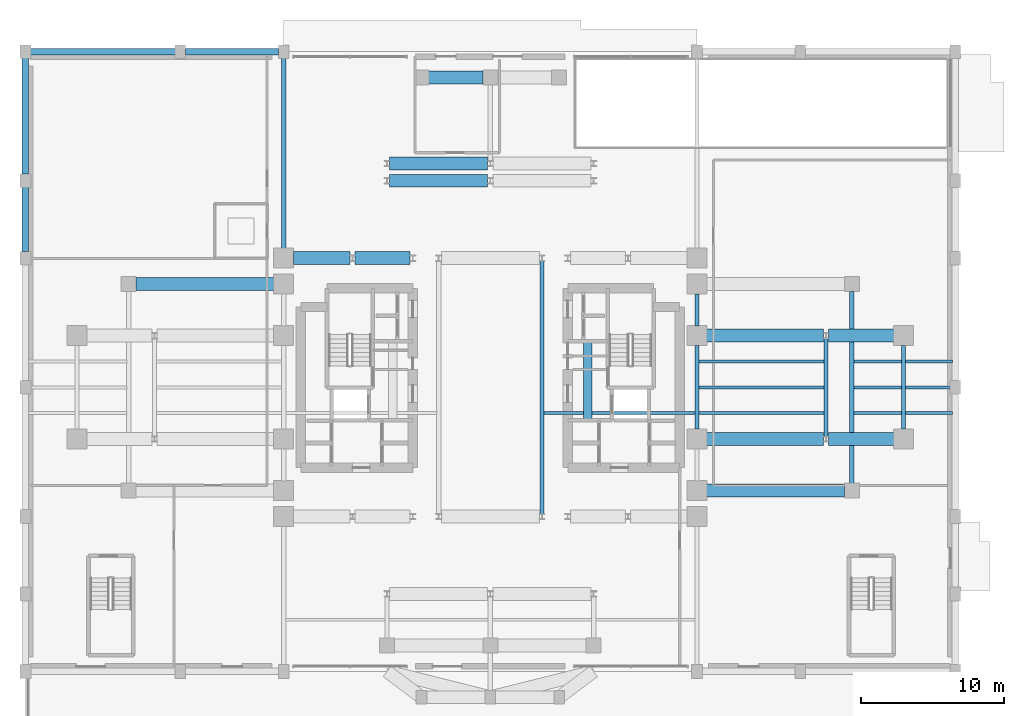
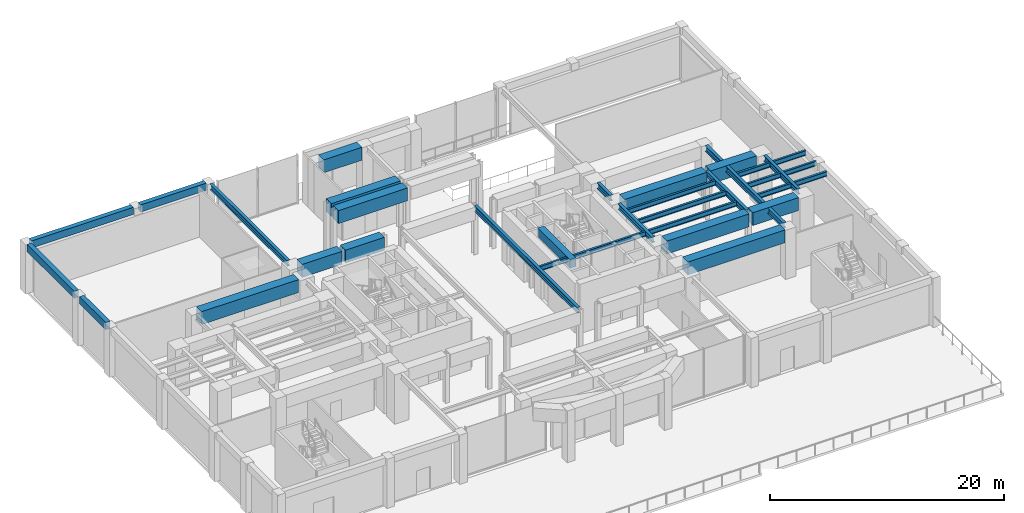
# One storey, part 7 of 17: 33 beams.
"""IFC4 building model written with IfcOpenShell, lengths in metres."""

import ifcopenshell
import ifcopenshell.guid

model = None  # the IFC model being written
_history = None  # IfcOwnerHistory: only IFC2X3 demands one
_inside = {}  # id of a spatial element -> (the spatial element, [elements in it])
_under = {}  # id of a project, library or spatial element -> (it, [spatial elements below it])
_declared = {}  # id of a project -> (the project, [libraries it declares])
_typed = {}  # id of a type object -> (the type object, [elements of that type])
_made_of = {}  # id of a material, layer set ... -> (it, [elements and type objects made of it])


def new_model(schema):
    """Start an empty IFC model of exactly this schema.

    Asked for "IFC4X3", IfcOpenShell would pick the latest addendum, in which some entities
    have other attributes; the version numbers below select the first issue.
    IFC2X3 requires an IfcOwnerHistory on every rooted entity: one is made here for all.
    """
    global model, _history
    if schema == "IFC4X3":
        model = ifcopenshell.file(schema_version=(4, 3, 0, 0))
    else:
        model = ifcopenshell.file(schema=schema)
    _inside.clear()
    _under.clear()
    _declared.clear()
    _typed.clear()
    _made_of.clear()
    _history = None
    if model.schema == "IFC2X3":
        org = make("IfcOrganization", Name="unknown")
        user = make(
            "IfcPersonAndOrganization",
            ThePerson=make("IfcPerson", FamilyName="unknown"),
            TheOrganization=org,
        )
        app = make(
            "IfcApplication",
            ApplicationDeveloper=org,
            Version="unknown",
            ApplicationFullName="unknown",
            ApplicationIdentifier="unknown",
        )
        _history = make(
            "IfcOwnerHistory",
            OwningUser=user,
            OwningApplication=app,
            ChangeAction="ADDED",
            CreationDate=0,
        )
    return model


def make(cls, **values):
    """One entity of the class cls with the attributes given. An attribute that is None is left unset."""
    return model.create_entity(
        cls, **{name: value for name, value in values.items() if value is not None}
    )


def rooted(cls, **values):
    """An entity with a GlobalId (a new one), such as an element, a storey or a relation."""
    return make(cls, GlobalId=ifcopenshell.guid.new(), OwnerHistory=_history, **values)


def si_unit(unit_type, name, prefix=None):
    """IfcSIUnit, for example si_unit("LENGTHUNIT", "METRE", prefix="MILLI")."""
    return make("IfcSIUnit", UnitType=unit_type, Prefix=prefix, Name=name)


def assignment(units):
    """IfcUnitAssignment: the units of a project."""
    return None if units is None else make("IfcUnitAssignment", Units=units)


def point(xyz):
    """IfcCartesianPoint."""
    return None if xyz is None else make("IfcCartesianPoint", Coordinates=xyz)


def direction(xyz):
    """IfcDirection."""
    return None if xyz is None else make("IfcDirection", DirectionRatios=xyz)


def frame(location, z_axis=None, x_axis=None):
    """IfcAxis2Placement3D, a coordinate frame: its origin and axes. An axis left out is left unset."""
    return make(
        "IfcAxis2Placement3D",
        Location=point(location),
        Axis=direction(z_axis),
        RefDirection=direction(x_axis),
    )


def frame_2d(location, x_axis=None):
    """IfcAxis2Placement2D, a coordinate frame in the plane: its origin and x axis."""
    return make(
        "IfcAxis2Placement2D", Location=point(location), RefDirection=direction(x_axis)
    )


def origin():
    """The frame at (0, 0, 0) with its axes left unset."""
    return frame((0.0, 0.0, 0.0))


def origin_2d():
    """The frame at (0, 0) in the plane with its x axis left unset."""
    return frame_2d((0.0, 0.0))


def place(relative_to, where):
    """IfcLocalPlacement: puts the frame where relative to a parent placement (None: the world)."""
    return make(
        "IfcLocalPlacement", PlacementRelTo=relative_to, RelativePlacement=where
    )


def context(
    kind, dimensions, precision=None, world=None, true_north=None, identifier=None
):
    """IfcGeometricRepresentationContext, for example the 3D "Model" context."""
    return make(
        "IfcGeometricRepresentationContext",
        ContextIdentifier=identifier,
        ContextType=kind,
        CoordinateSpaceDimension=dimensions,
        Precision=precision,
        WorldCoordinateSystem=world,
        TrueNorth=true_north,
    )


def subcontext(parent, identifier, kind, view, scale=None):
    """IfcGeometricRepresentationSubContext, for example "Body" below "Model"."""
    return make(
        "IfcGeometricRepresentationSubContext",
        ContextIdentifier=identifier,
        ContextType=kind,
        ParentContext=parent,
        TargetScale=scale,
        TargetView=view,
    )


def project(units=None, contexts=None):
    """IfcProject with its units and contexts."""
    return rooted(
        "IfcProject",
        Name="project",
        RepresentationContexts=contexts,
        UnitsInContext=assignment(units),
    )


def spatial(cls, under=None, at=None, **own):
    """A site, building, storey or space (cls), placed at a placement, below another one or the project."""
    s = rooted(cls, ObjectPlacement=at, **own)
    if under is not None:
        _under.setdefault(under.id(), (under, []))[1].append(s)
    return s


def profile(cls, at=None, kind="AREA", **sizes):
    """A parametric profile (cls). Its sizes go by their IFC names, for example OverallWidth=200.0."""
    return make(cls, ProfileType=kind, Position=at, **sizes)


def rectangle(**sizes):
    """IfcRectangleProfileDef."""
    return profile("IfcRectangleProfileDef", **sizes)


def i_section(**sizes):
    """IfcIShapeProfileDef."""
    return profile("IfcIShapeProfileDef", **sizes)


def extrude(swept, where, along, depth):
    """IfcExtrudedAreaSolid: the profile swept, set in the frame where, extruded along a direction by depth."""
    return make(
        "IfcExtrudedAreaSolid",
        SweptArea=swept,
        Position=where,
        ExtrudedDirection=direction(along),
        Depth=depth,
    )


def shape(context_of_items, identifier, shape_type, items):
    """IfcShapeRepresentation: the items that make up one representation, for example the "Body"."""
    return make(
        "IfcShapeRepresentation",
        ContextOfItems=context_of_items,
        RepresentationIdentifier=identifier,
        RepresentationType=shape_type,
        Items=items,
    )


def source(mapping_origin, context_of_items, identifier, shape_type, items):
    """IfcRepresentationMap: a shape defined once, which mapped items show again and again."""
    return make(
        "IfcRepresentationMap",
        MappingOrigin=mapping_origin,
        MappedRepresentation=shape(context_of_items, identifier, shape_type, items),
    )


def transform(
    local_origin,
    x_axis=None,
    y_axis=None,
    z_axis=None,
    scale=None,
    scale2=None,
    scale3=None,
    uniform=True,
):
    """IfcCartesianTransformationOperator3D, or its non-uniform kind. x_axis, y_axis, z_axis: its Axis1, 2, 3."""
    if uniform:
        return make(
            "IfcCartesianTransformationOperator3D",
            Axis1=direction(x_axis),
            Axis2=direction(y_axis),
            LocalOrigin=point(local_origin),
            Scale=scale,
            Axis3=direction(z_axis),
        )
    return make(
        "IfcCartesianTransformationOperator3DnonUniform",
        Axis1=direction(x_axis),
        Axis2=direction(y_axis),
        LocalOrigin=point(local_origin),
        Scale=scale,
        Axis3=direction(z_axis),
        Scale2=scale2,
        Scale3=scale3,
    )


def mapped(mapping_source, mapping_target):
    """IfcMappedItem: shows the shape of a source again, moved by a transform."""
    return make(
        "IfcMappedItem", MappingSource=mapping_source, MappingTarget=mapping_target
    )


def material(Name=None, Category=None):
    """IfcMaterial."""
    return make("IfcMaterial", Name=Name, Category=Category)


def material_profile(
    of_material, cross_section, Name=None, Category=None, Priority=None
):
    """IfcMaterialProfile: a cross section and its material."""
    return make(
        "IfcMaterialProfile",
        Name=Name,
        Material=of_material,
        Profile=cross_section,
        Priority=Priority,
        Category=Category,
    )


def profile_set(profiles, Name=None, composite=None):
    """IfcMaterialProfileSet."""
    return make(
        "IfcMaterialProfileSet",
        Name=Name,
        MaterialProfiles=profiles,
        CompositeProfile=composite,
    )


def made_of(thing, what):
    """Note that an element or type object is made of a material, layer set ...; save() writes the relation."""
    if what is not None:
        _made_of.setdefault(what.id(), (what, []))[1].append(thing)
    return thing


def type_object(cls, material=None, **own):
    """A type object (cls), such as IfcWallType, which elements share."""
    return made_of(rooted(cls, **own), material)


def element(
    cls,
    number,
    at=None,
    inside=None,
    cuts=None,
    type_object=None,
    material=None,
    context=None,
    identifier="Body",
    shape_type=None,
    held_by="IfcProductDefinitionShape",
    body=None,
    shapes=None,
    **own,
):
    """One element of the class cls, such as IfcWall. Its Tag is "e" and its number.

    at: its placement. inside: the storey or other place that contains it. cuts: it is an
    opening in that element (IfcRelVoidsElement). A single representation is given by context,
    identifier, shape_type and body (its items); several are given by shapes. held_by: the class
    of the entity that holds the representations. save() writes the other relations.
    """
    e = rooted(cls, Tag="e%d" % number, ObjectPlacement=at, **own)
    if body is not None:
        shapes = [shape(context, identifier, shape_type, body)]
    if shapes is not None:
        e.Representation = make(held_by, Representations=shapes)
    if inside is not None:
        _inside.setdefault(inside.id(), (inside, []))[1].append(e)
    if cuts is not None:
        rooted(
            "IfcRelVoidsElement", RelatingBuildingElement=cuts, RelatedOpeningElement=e
        )
    if type_object is not None:
        _typed.setdefault(type_object.id(), (type_object, []))[1].append(e)
    return made_of(e, material)


def aggregate(whole, parts):
    """IfcRelAggregates: a whole, such as a stair, and the parts it consists of."""
    return rooted("IfcRelAggregates", RelatingObject=whole, RelatedObjects=parts)


def save(model, path):
    """Write the relations noted so far, then the file.

    IfcRelAggregates (storeys below a building ...), IfcRelContainedInSpatialStructure (elements
    in a storey), IfcRelDefinesByType, IfcRelAssociatesMaterial and IfcRelDeclares: one each for
    every whole, place, type object, material and project.
    """
    for whole, parts in _under.values():
        aggregate(whole, parts)
    for where, things in _inside.values():
        rooted(
            "IfcRelContainedInSpatialStructure",
            RelatedElements=things,
            RelatingStructure=where,
        )
    for kind, things in _typed.values():
        rooted("IfcRelDefinesByType", RelatedObjects=things, RelatingType=kind)
    for what, things in _made_of.values():
        rooted("IfcRelAssociatesMaterial", RelatedObjects=things, RelatingMaterial=what)
    for by, libraries in _declared.values():
        rooted("IfcRelDeclares", RelatingContext=by, RelatedDefinitions=libraries)
    model.write(path)


model = new_model("IFC4")

# Units and contexts
model_context = context("Model", 3, precision=1e-05, world=origin(), true_north=direction((0.0, 1.0)))
body_context = subcontext(model_context, "Body", "Model", "MODEL_VIEW")
ifc_project = project(units=[si_unit("LENGTHUNIT", "METRE"), si_unit("AREAUNIT", "SQUARE_METRE"), si_unit("VOLUMEUNIT", "CUBIC_METRE"), si_unit("PLANEANGLEUNIT", "RADIAN"), si_unit("MASSUNIT", "GRAM", prefix="KILO")], contexts=[model_context])

# Site, building, storey
site_placement = place(None, origin())
site = spatial("IfcSite", under=ifc_project, at=site_placement, CompositionType="ELEMENT")
building_placement = place(site_placement, origin())
building = spatial("IfcBuilding", under=site, at=building_placement, Name="Keilestroom Media Tower", CompositionType="ELEMENT")
storey_placement = place(building_placement, origin())
storey = spatial("IfcBuildingStorey", under=building, at=storey_placement, Name="L00", CompositionType="ELEMENT", Elevation=0.0)

# Beams
ifc_material_1 = material(Name="Precast concrete C40/50", Category="concrete")
ifc_material_profile_1 = material_profile(ifc_material_1, rectangle(XDim=0.449951171875, YDim=0.75, at=origin_2d()), Name="PC 450x750")
ifc_profile_set_1 = profile_set([ifc_material_profile_1], Name="Precast concrete C40/50")
beam_type_1 = type_object("IfcBeamType", Name="Perimeter-Spandrel-Beam-PC-450x750", PredefinedType="SPANDREL", material=ifc_profile_set_1)
shared_shape_1 = source(origin(), body_context, "Body", "SweptSolid", [
    extrude(rectangle(XDim=0.449951171875, YDim=0.75, at=origin_2d()), origin(), (0.0, 0.0, 1.0), 10.08984375),
])
beam_1_placement = place(storey_placement, frame((-32.044921875, 23.39990234375, 4.77490234375), z_axis=(1.0, 0.0, 0.0), x_axis=(0.0, 1.0, 0.0)))
element("IfcBeam", 1, at=beam_1_placement, inside=storey, type_object=beam_type_1, Name="L00 Beam SPB-1 BM-L00-EW-041", PredefinedType="SPANDREL", context=body_context, shape_type="MappedRepresentation", body=[
    mapped(shared_shape_1, transform((0.0, 0.0, 0.0), x_axis=(1.0, 0.0, 0.0), y_axis=(0.0, 1.0, 0.0), z_axis=(0.0, 0.0, 1.0), scale=1.0)),
])
shared_shape_2 = source(origin(), body_context, "Body", "SweptSolid", [
    extrude(rectangle(XDim=0.449951171875, YDim=0.75, at=origin_2d()), origin(), (0.0, 0.0, 1.0), 6.490234375),
])
beam_2_placement = place(storey_placement, frame((-21.2451171875, 23.39990234375, 4.77490234375), z_axis=(1.0, 0.0, 0.0), x_axis=(0.0, 1.0, 0.0)))
element("IfcBeam", 2, at=beam_2_placement, inside=storey, type_object=beam_type_1, Name="L00 Beam SPB-1 BM-L00-EW-042", PredefinedType="SPANDREL", context=body_context, shape_type="MappedRepresentation", body=[
    mapped(shared_shape_2, transform((0.0, 0.0, 0.0), x_axis=(1.0, 0.0, 0.0), y_axis=(0.0, 1.0, 0.0), z_axis=(0.0, 0.0, 1.0), scale=1.0)),
])
ifc_material_2 = material(Name="Concrete C70/85", Category="concrete")
ifc_material_profile_2 = material_profile(ifc_material_2, rectangle(XDim=0.60009765625, YDim=0.89990234375, at=origin_2d()), Name="RC 600x900")
ifc_profile_set_2 = profile_set([ifc_material_profile_2], Name="Concrete C70/85")
beam_type_2 = type_object("IfcBeamType", Name="Core-Coupling-Lintel-Beam-RC-600x900", PredefinedType="LINTEL", material=ifc_profile_set_2)
shared_shape_3 = source(origin(), body_context, "Body", "SweptSolid", [
    extrude(rectangle(XDim=0.60009765625, YDim=0.89990234375, at=origin_2d()), origin(), (0.0, 0.0, 1.0), 5.52001953125),
])
beam_3_placement = place(storey_placement, frame((6.800048828125, -2.300048828125, 4.699951171875), z_axis=(0.0, 1.0, 0.0), x_axis=(-1.0, 0.0, 0.0)))
element("IfcBeam", 3, at=beam_3_placement, inside=storey, type_object=beam_type_2, Name="L00 Beam CLB-1 CLB-L00-E", PredefinedType="LINTEL", context=body_context, shape_type="MappedRepresentation", body=[
    mapped(shared_shape_3, transform((0.0, 0.0, 0.0), x_axis=(1.0, 0.0, 0.0), y_axis=(0.0, 1.0, 0.0), z_axis=(0.0, 0.0, 1.0), scale=1.0)),
])
ifc_material_3 = material(Name="Concrete C55/67", Category="concrete")
ifc_material_profile_3 = material_profile(ifc_material_3, rectangle(XDim=0.89990234375, YDim=1.35009765625, at=origin_2d()), Name="RC 900x1350")
ifc_profile_set_3 = profile_set([ifc_material_profile_3], Name="Concrete C55/67")
beam_type_3 = type_object("IfcBeamType", Name="Primary-Structural-Girder-RC-900x1350", PredefinedType="BEAM", material=ifc_profile_set_3)
shared_shape_4 = source(origin(), body_context, "Body", "SweptSolid", [
    extrude(rectangle(XDim=0.89990234375, YDim=1.35009765625, at=origin_2d()), origin(), (0.0, 0.0, 1.0), 6.833984375),
])
for number, where, z_axis, x_axis, name in (
    (4, (-7.01708984375, 14.39990234375, 4.47509765625), (1.0, 0.0, 0.0), (0.0, 1.0, 0.0), "L00 Beam TG-2 BM-L00-EW-035"),
    (5, (-7.01708984375, 15.60009765625, 4.47509765625), (1.0, 0.0, 0.0), (0.0, 1.0, 0.0), "L00 Beam TG-2 BM-L00-EW-037"),
):
    element("IfcBeam", number, at=place(storey_placement, frame(where, z_axis=z_axis, x_axis=x_axis)), inside=storey, type_object=beam_type_3, Name=name, PredefinedType="BEAM", context=body_context, shape_type="MappedRepresentation", body=[
        mapped(shared_shape_4, transform((0.0, 0.0, 0.0), x_axis=(1.0, 0.0, 0.0), y_axis=(0.0, 1.0, 0.0), z_axis=(0.0, 0.0, 1.0), scale=1.0)),
    ])
shared_shape_5 = source(origin(), body_context, "Body", "SweptSolid", [
    extrude(rectangle(XDim=0.89990234375, YDim=1.35009765625, at=origin_2d()), origin(), (0.0, 0.0, 1.0), 3.93701171875),
])
beam_4_placement = place(storey_placement, frame((-13.719970703125, 9.0, 4.47509765625), z_axis=(1.0, 0.0, 0.0), x_axis=(0.0, 1.0, 0.0)))
element("IfcBeam", 6, at=beam_4_placement, inside=storey, type_object=beam_type_3, Name="L00 Beam TG-2 BM-L00-EW-028", PredefinedType="BEAM", context=body_context, shape_type="MappedRepresentation", body=[
    mapped(shared_shape_5, transform((0.0, 0.0, 0.0), x_axis=(1.0, 0.0, 0.0), y_axis=(0.0, 1.0, 0.0), z_axis=(0.0, 0.0, 1.0), scale=1.0)),
])
shared_shape_6 = source(origin(), body_context, "Body", "SweptSolid", [
    extrude(rectangle(XDim=0.89990234375, YDim=1.35009765625, at=origin_2d()), origin(), (0.0, 0.0, 1.0), 3.833984375),
])
beam_5_placement = place(storey_placement, frame((-9.4169921875, 9.0, 4.47509765625), z_axis=(1.0, 0.0, 0.0), x_axis=(0.0, 1.0, 0.0)))
element("IfcBeam", 7, at=beam_5_placement, inside=storey, type_object=beam_type_3, Name="L00 Beam TG-2 BM-L00-EW-029", PredefinedType="BEAM", context=body_context, shape_type="MappedRepresentation", body=[
    mapped(shared_shape_6, transform((0.0, 0.0, 0.0), x_axis=(1.0, 0.0, 0.0), y_axis=(0.0, 1.0, 0.0), z_axis=(0.0, 0.0, 1.0), scale=1.0)),
])
shared_shape_7 = source(origin(), body_context, "Body", "SweptSolid", [
    extrude(rectangle(XDim=0.89990234375, YDim=1.35009765625, at=origin_2d()), origin(), (0.0, 0.0, 1.0), 9.614990234375),
])
for number, where, z_axis, x_axis, name in (
    (8, (15.080078125, -7.199951171875, 4.47509765625), (1.0, 0.0, 0.0), (0.0, 1.0, 0.0), "L00 Beam TG-2 BM-L00-EW-017"),
    (9, (-24.695068359375, 7.199951171875, 4.47509765625), (1.0, 0.0, 0.0), (0.0, 1.0, 0.0), "L00 Beam TG-2 BM-L00-EW-026"),
):
    element("IfcBeam", number, at=place(storey_placement, frame(where, z_axis=z_axis, x_axis=x_axis)), inside=storey, type_object=beam_type_3, Name=name, PredefinedType="BEAM", context=body_context, shape_type="MappedRepresentation", body=[
        mapped(shared_shape_7, transform((0.0, 0.0, 0.0), x_axis=(1.0, 0.0, 0.0), y_axis=(0.0, 1.0, 0.0), z_axis=(0.0, 0.0, 1.0), scale=1.0)),
    ])
shared_shape_8 = source(origin(), body_context, "Body", "SweptSolid", [
    extrude(rectangle(XDim=0.89990234375, YDim=1.35009765625, at=origin_2d()), origin(), (0.0, 0.0, 1.0), 4.537109375),
])
for number, where, z_axis, x_axis, name in (
    (10, (23.5830078125, -3.60009765625, 4.47509765625), (1.0, 0.0, 0.0), (0.0, 1.0, 0.0), "L00 Beam TG-2 BM-L00-EW-021"),
    (11, (23.5830078125, 3.60009765625, 4.47509765625), (1.0, 0.0, 0.0), (0.0, 1.0, 0.0), "L00 Beam TG-2 BM-L00-EW-025"),
):
    element("IfcBeam", number, at=place(storey_placement, frame(where, z_axis=z_axis, x_axis=x_axis)), inside=storey, type_object=beam_type_3, Name=name, PredefinedType="BEAM", context=body_context, shape_type="MappedRepresentation", body=[
        mapped(shared_shape_8, transform((0.0, 0.0, 0.0), x_axis=(1.0, 0.0, 0.0), y_axis=(0.0, 1.0, 0.0), z_axis=(0.0, 0.0, 1.0), scale=1.0)),
    ])
shared_shape_9 = source(origin(), body_context, "Body", "SweptSolid", [
    extrude(rectangle(XDim=0.89990234375, YDim=1.35009765625, at=origin_2d()), origin(), (0.0, 0.0, 1.0), 8.136962890625),
])
for number, where, z_axis, x_axis, name in (
    (12, (15.080078125, -3.60009765625, 4.47509765625), (1.0, 0.0, 0.0), (0.0, 1.0, 0.0), "L00 Beam TG-2 BM-L00-EW-020"),
    (13, (15.080078125, 3.60009765625, 4.47509765625), (1.0, 0.0, 0.0), (0.0, 1.0, 0.0), "L00 Beam TG-2 BM-L00-EW-024"),
):
    element("IfcBeam", number, at=place(storey_placement, frame(where, z_axis=z_axis, x_axis=x_axis)), inside=storey, type_object=beam_type_3, Name=name, PredefinedType="BEAM", context=body_context, shape_type="MappedRepresentation", body=[
        mapped(shared_shape_9, transform((0.0, 0.0, 0.0), x_axis=(1.0, 0.0, 0.0), y_axis=(0.0, 1.0, 0.0), z_axis=(0.0, 0.0, 1.0), scale=1.0)),
    ])
shared_shape_10 = source(origin(), body_context, "Body", "SweptSolid", [
    extrude(rectangle(XDim=0.89990234375, YDim=1.35009765625, at=origin_2d()), origin(), (0.0, 0.0, 1.0), 3.7900390625),
])
beam_6_placement = place(storey_placement, frame((-4.294921875, 21.60009765625, 4.47509765625), z_axis=(1.0, 0.0, 0.0), x_axis=(0.0, 1.0, 0.0)))
element("IfcBeam", 14, at=beam_6_placement, inside=storey, type_object=beam_type_3, Name="L00 Beam TG-2 BM-L00-EW-039", PredefinedType="BEAM", context=body_context, shape_type="MappedRepresentation", body=[
    mapped(shared_shape_10, transform((0.0, 0.0, 0.0), x_axis=(1.0, 0.0, 0.0), y_axis=(0.0, 1.0, 0.0), z_axis=(0.0, 0.0, 1.0), scale=1.0)),
])
shared_shape_11 = source(origin(), body_context, "Body", "SweptSolid", [
    extrude(rectangle(XDim=0.449951171875, YDim=0.75, at=origin_2d()), origin(), (0.0, 0.0, 1.0), 4.489990234375),
])
beam_7_placement = place(storey_placement, frame((-32.39990234375, 9.455078125, 4.77490234375), z_axis=(0.0, 1.0, 0.0), x_axis=(-1.0, 0.0, 0.0)))
element("IfcBeam", 15, at=beam_7_placement, inside=storey, type_object=beam_type_1, Name="L00 Beam SPB-1 BM-L00-NS-049", PredefinedType="SPANDREL", context=body_context, shape_type="MappedRepresentation", body=[
    mapped(shared_shape_11, transform((0.0, 0.0, 0.0), x_axis=(1.0, 0.0, 0.0), y_axis=(0.0, 1.0, 0.0), z_axis=(0.0, 0.0, 1.0), scale=1.0)),
])
shared_shape_12 = source(origin(), body_context, "Body", "SweptSolid", [
    extrude(rectangle(XDim=0.449951171875, YDim=0.75, at=origin_2d()), origin(), (0.0, 0.0, 1.0), 8.090087890625),
])
beam_8_placement = place(storey_placement, frame((-32.39990234375, 14.85498046875, 4.77490234375), z_axis=(0.0, 1.0, 0.0), x_axis=(-1.0, 0.0, 0.0)))
element("IfcBeam", 16, at=beam_8_placement, inside=storey, type_object=beam_type_1, Name="L00 Beam SPB-1 BM-L00-NS-050", PredefinedType="SPANDREL", context=body_context, shape_type="MappedRepresentation", body=[
    mapped(shared_shape_12, transform((0.0, 0.0, 0.0), x_axis=(1.0, 0.0, 0.0), y_axis=(0.0, 1.0, 0.0), z_axis=(0.0, 0.0, 1.0), scale=1.0)),
])
ifc_material_4 = material(Name="Steel S355", Category="steel")
ifc_material_profile_4 = material_profile(ifc_material_4, i_section(OverallWidth=0.300048828125, OverallDepth=0.60009765625, WebThickness=0.013427734375, FlangeThickness=0.030029296875, at=origin_2d()), Name="HEB 600")
ifc_profile_set_4 = profile_set([ifc_material_profile_4], Name="Steel S355")
beam_type_4 = type_object("IfcBeamType", Name="Primary-Structural-Girder-HEB-600", PredefinedType="BEAM", material=ifc_profile_set_4)
shared_shape_13 = source(origin(), body_context, "Body", "SweptSolid", [
    extrude(i_section(OverallWidth=0.300048828125, OverallDepth=0.60009765625, WebThickness=0.013427734375, FlangeThickness=0.030029296875, at=origin_2d()), origin(), (0.0, 0.0, 1.0), 5.83984375),
])
for number, where, z_axis, x_axis, name in (
    (17, (14.39990234375, -2.919921875, 4.85009765625), (0.0, 1.0, 0.0), (-1.0, 0.0, 0.0), "L00 Beam BG-4 BM-L00-NS-078"),
    (18, (28.800048828125, -2.919921875, 4.85009765625), (0.0, 1.0, 0.0), (-1.0, 0.0, 0.0), "L00 Beam BG-4 BM-L00-NS-084"),
):
    element("IfcBeam", number, at=place(storey_placement, frame(where, z_axis=z_axis, x_axis=x_axis)), inside=storey, type_object=beam_type_4, Name=name, PredefinedType="BEAM", context=body_context, shape_type="MappedRepresentation", body=[
        mapped(shared_shape_13, transform((0.0, 0.0, 0.0), x_axis=(1.0, 0.0, 0.0), y_axis=(0.0, 1.0, 0.0), z_axis=(0.0, 0.0, 1.0), scale=1.0)),
    ])
shared_shape_14 = source(origin(), body_context, "Body", "SweptSolid", [
    extrude(i_section(OverallWidth=0.300048828125, OverallDepth=0.60009765625, WebThickness=0.013427734375, FlangeThickness=0.030029296875, at=origin_2d()), origin(), (0.0, 0.0, 1.0), 13.39013671875),
])
beam_9_placement = place(storey_placement, frame((25.199951171875, -6.695068359375, 4.85009765625), z_axis=(0.0, 1.0, 0.0), x_axis=(-1.0, 0.0, 0.0)))
element("IfcBeam", 19, at=beam_9_placement, inside=storey, type_object=beam_type_4, Name="L00 Beam BG-4 BM-L00-NS-083", PredefinedType="BEAM", context=body_context, shape_type="MappedRepresentation", body=[
    mapped(shared_shape_14, transform((0.0, 0.0, 0.0), x_axis=(1.0, 0.0, 0.0), y_axis=(0.0, 1.0, 0.0), z_axis=(0.0, 0.0, 1.0), scale=1.0)),
])
shared_shape_15 = source(origin(), body_context, "Body", "SweptSolid", [
    extrude(i_section(OverallWidth=0.300048828125, OverallDepth=0.60009765625, WebThickness=0.013427734375, FlangeThickness=0.030029296875, at=origin_2d()), origin(), (0.0, 0.0, 1.0), 6.82421875),
])
beam_10_placement = place(storey_placement, frame((23.39990234375, -3.412109375, 4.85009765625), z_axis=(0.0, 1.0, 0.0), x_axis=(-1.0, 0.0, 0.0)))
element("IfcBeam", 20, at=beam_10_placement, inside=storey, type_object=beam_type_4, Name="L00 Beam BG-4 BM-L00-NS-082", PredefinedType="BEAM", context=body_context, shape_type="MappedRepresentation", body=[
    mapped(shared_shape_15, transform((0.0, 0.0, 0.0), x_axis=(1.0, 0.0, 0.0), y_axis=(0.0, 1.0, 0.0), z_axis=(0.0, 0.0, 1.0), scale=1.0)),
])
shared_shape_16 = source(origin(), body_context, "Body", "SweptSolid", [
    extrude(i_section(OverallWidth=0.300048828125, OverallDepth=0.60009765625, WebThickness=0.013427734375, FlangeThickness=0.030029296875, at=origin_2d()), origin(), (0.0, 0.0, 1.0), 2.239990234375),
])
beam_11_placement = place(storey_placement, frame((14.39990234375, 4.280029296875, 4.85009765625), z_axis=(0.0, 1.0, 0.0), x_axis=(-1.0, 0.0, 0.0)))
element("IfcBeam", 21, at=beam_11_placement, inside=storey, type_object=beam_type_4, Name="L00 Beam BG-4 BM-L00-NS-079", PredefinedType="BEAM", context=body_context, shape_type="MappedRepresentation", body=[
    mapped(shared_shape_16, transform((0.0, 0.0, 0.0), x_axis=(1.0, 0.0, 0.0), y_axis=(0.0, 1.0, 0.0), z_axis=(0.0, 0.0, 1.0), scale=1.0)),
])
shared_shape_17 = source(origin(), body_context, "Body", "SweptSolid", [
    extrude(i_section(OverallWidth=0.300048828125, OverallDepth=0.60009765625, WebThickness=0.013427734375, FlangeThickness=0.030029296875, at=origin_2d()), origin(), (0.0, 0.0, 1.0), 13.26513671875),
])
beam_12_placement = place(storey_placement, frame((-14.39990234375, 9.679931640625, 4.85009765625), z_axis=(0.0, 1.0, 0.0), x_axis=(-1.0, 0.0, 0.0)))
element("IfcBeam", 22, at=beam_12_placement, inside=storey, type_object=beam_type_4, Name="L00 Beam BG-4 BM-L00-NS-060", PredefinedType="BEAM", context=body_context, shape_type="MappedRepresentation", body=[
    mapped(shared_shape_17, transform((0.0, 0.0, 0.0), x_axis=(1.0, 0.0, 0.0), y_axis=(0.0, 1.0, 0.0), z_axis=(0.0, 0.0, 1.0), scale=1.0)),
])
shared_shape_18 = source(origin(), body_context, "Body", "SweptSolid", [
    extrude(i_section(OverallWidth=0.300048828125, OverallDepth=0.60009765625, WebThickness=0.013427734375, FlangeThickness=0.030029296875, at=origin_2d()), origin(), (0.0, 0.0, 1.0), 17.6240234375),
])
beam_13_placement = place(storey_placement, frame((3.60009765625, -8.81201171875, 4.85009765625), z_axis=(0.0, 1.0, 0.0), x_axis=(-1.0, 0.0, 0.0)))
element("IfcBeam", 23, at=beam_13_placement, inside=storey, type_object=beam_type_4, Name="L00 Beam BG-4 BM-L00-NS-070", PredefinedType="BEAM", context=body_context, shape_type="MappedRepresentation", body=[
    mapped(shared_shape_18, transform((0.0, 0.0, 0.0), x_axis=(1.0, 0.0, 0.0), y_axis=(0.0, 1.0, 0.0), z_axis=(0.0, 0.0, 1.0), scale=1.0)),
])
ifc_material_profile_5 = material_profile(ifc_material_4, i_section(OverallWidth=0.199951171875, OverallDepth=0.5, WebThickness=0.01025390625, FlangeThickness=0.01611328125, at=origin_2d()), Name="IPE 500")
ifc_profile_set_5 = profile_set([ifc_material_profile_5], Name="Steel S355")
beam_type_5 = type_object("IfcBeamType", Name="Secondary-Floor-Joist-IPE-500", PredefinedType="JOIST", material=ifc_profile_set_5)
shared_shape_19 = source(origin(), body_context, "Body", "SweptSolid", [
    extrude(i_section(OverallWidth=0.199951171875, OverallDepth=0.5, WebThickness=0.01025390625, FlangeThickness=0.01611328125, at=origin_2d()), origin(), (0.0, 0.0, 1.0), 3.26513671875),
])
for number, where, z_axis, x_axis, name in (
    (24, (28.929931640625, -1.800048828125, 4.89990234375), (1.0, 0.0, 0.0), (0.0, 1.0, 0.0), "L00 Beam BJ-2 JST-L00-103"),
    (25, (28.929931640625, 0.0, 4.89990234375), (1.0, 0.0, 0.0), (0.0, 1.0, 0.0), "L00 Beam BJ-2 JST-L00-112"),
    (26, (28.929931640625, 1.800048828125, 4.89990234375), (1.0, 0.0, 0.0), (0.0, 1.0, 0.0), "L00 Beam BJ-2 JST-L00-121"),
):
    element("IfcBeam", number, at=place(storey_placement, frame(where, z_axis=z_axis, x_axis=x_axis)), inside=storey, type_object=beam_type_5, Name=name, PredefinedType="JOIST", context=body_context, shape_type="MappedRepresentation", body=[
        mapped(shared_shape_19, transform((0.0, 0.0, 0.0), x_axis=(1.0, 0.0, 0.0), y_axis=(0.0, 1.0, 0.0), z_axis=(0.0, 0.0, 1.0), scale=1.0)),
    ])
shared_shape_20 = source(origin(), body_context, "Body", "SweptSolid", [
    extrude(i_section(OverallWidth=0.199951171875, OverallDepth=0.5, WebThickness=0.01025390625, FlangeThickness=0.01611328125, at=origin_2d()), origin(), (0.0, 0.0, 1.0), 3.33984375),
])
for number, where, z_axis, x_axis, name in (
    (27, (25.330078125, -1.800048828125, 4.89990234375), (1.0, 0.0, 0.0), (0.0, 1.0, 0.0), "L00 Beam BJ-2 JST-L00-102"),
    (28, (25.330078125, 0.0, 4.89990234375), (1.0, 0.0, 0.0), (0.0, 1.0, 0.0), "L00 Beam BJ-2 JST-L00-111"),
    (29, (25.330078125, 1.800048828125, 4.89990234375), (1.0, 0.0, 0.0), (0.0, 1.0, 0.0), "L00 Beam BJ-2 JST-L00-120"),
):
    element("IfcBeam", number, at=place(storey_placement, frame(where, z_axis=z_axis, x_axis=x_axis)), inside=storey, type_object=beam_type_5, Name=name, PredefinedType="JOIST", context=body_context, shape_type="MappedRepresentation", body=[
        mapped(shared_shape_20, transform((0.0, 0.0, 0.0), x_axis=(1.0, 0.0, 0.0), y_axis=(0.0, 1.0, 0.0), z_axis=(0.0, 0.0, 1.0), scale=1.0)),
    ])
shared_shape_21 = source(origin(), body_context, "Body", "SweptSolid", [
    extrude(i_section(OverallWidth=0.199951171875, OverallDepth=0.5, WebThickness=0.01025390625, FlangeThickness=0.01611328125, at=origin_2d()), origin(), (0.0, 0.0, 1.0), 8.739990234375),
])
for number, where, z_axis, x_axis, name in (
    (30, (14.530029296875, -1.800048828125, 4.89990234375), (1.0, 0.0, 0.0), (0.0, 1.0, 0.0), "L00 Beam BJ-2 JST-L00-101"),
    (31, (14.530029296875, 0.0, 4.89990234375), (1.0, 0.0, 0.0), (0.0, 1.0, 0.0), "L00 Beam BJ-2 JST-L00-110"),
    (32, (14.530029296875, 1.800048828125, 4.89990234375), (1.0, 0.0, 0.0), (0.0, 1.0, 0.0), "L00 Beam BJ-2 JST-L00-119"),
):
    element("IfcBeam", number, at=place(storey_placement, frame(where, z_axis=z_axis, x_axis=x_axis)), inside=storey, type_object=beam_type_5, Name=name, PredefinedType="JOIST", context=body_context, shape_type="MappedRepresentation", body=[
        mapped(shared_shape_21, transform((0.0, 0.0, 0.0), x_axis=(1.0, 0.0, 0.0), y_axis=(0.0, 1.0, 0.0), z_axis=(0.0, 0.0, 1.0), scale=1.0)),
    ])
shared_shape_22 = source(origin(), body_context, "Body", "SweptSolid", [
    extrude(i_section(OverallWidth=0.199951171875, OverallDepth=0.5, WebThickness=0.01025390625, FlangeThickness=0.01611328125, at=origin_2d()), origin(), (0.0, 0.0, 1.0), 10.5400390625),
])
beam_14_placement = place(storey_placement, frame((3.72998046875, -1.800048828125, 4.89990234375), z_axis=(1.0, 0.0, 0.0), x_axis=(0.0, 1.0, 0.0)))
element("IfcBeam", 33, at=beam_14_placement, inside=storey, type_object=beam_type_5, Name="L00 Beam BJ-2 JST-L00-100", PredefinedType="JOIST", context=body_context, shape_type="MappedRepresentation", body=[
    mapped(shared_shape_22, transform((0.0, 0.0, 0.0), x_axis=(1.0, 0.0, 0.0), y_axis=(0.0, 1.0, 0.0), z_axis=(0.0, 0.0, 1.0), scale=1.0)),
])

save(model, "model.ifc")
